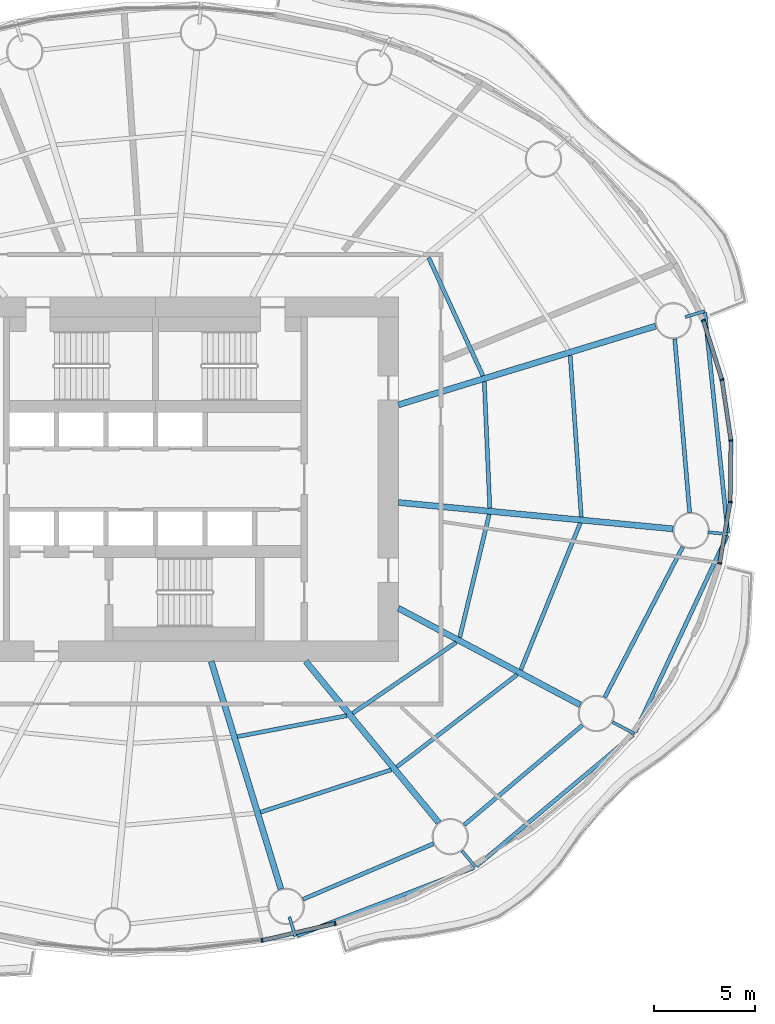
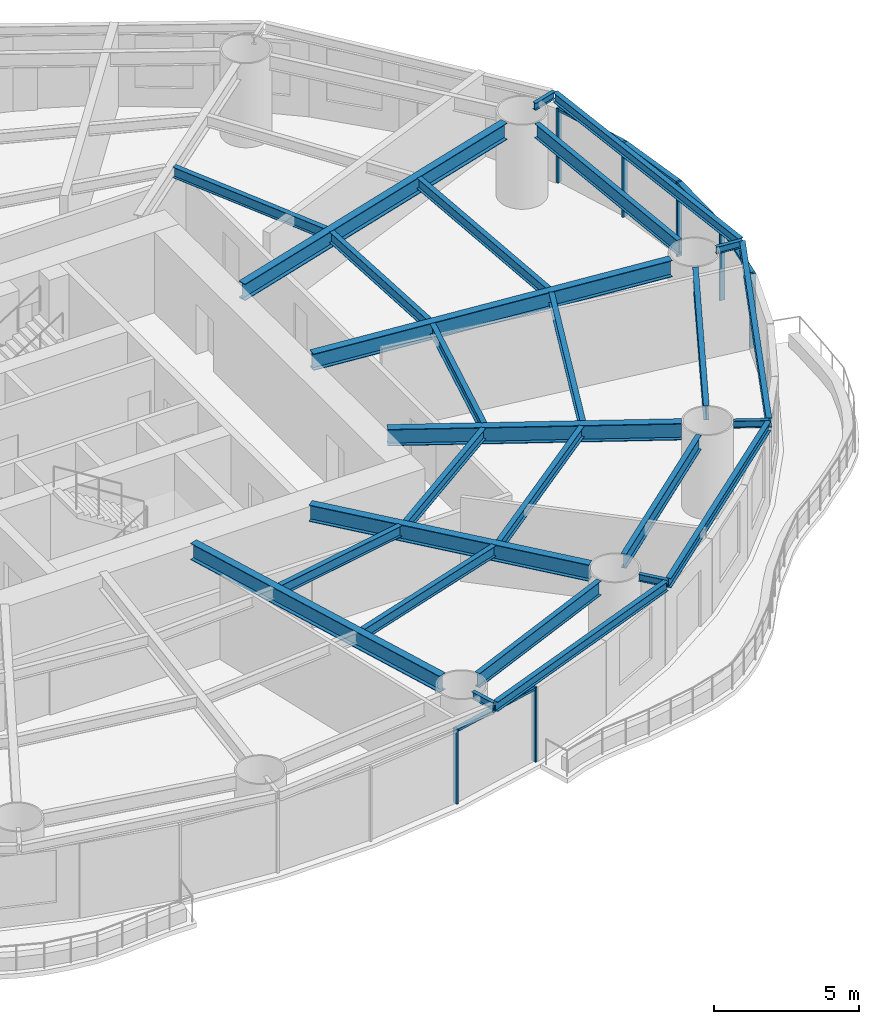
# One storey, part 4 of 16: 27 beams, 12 members, 5 elements without a shape of their own.
"""IFC4 building model written with IfcOpenShell, lengths in metres."""

from ifc_helpers import new_model, si_unit, direction, frame, origin, origin_2d, place, context, subcontext, project, spatial, rectangle, i_section, extrude, material, material_profile, profile_set, type_object, element, aggregate, save


model = new_model("IFC4")

# Units and contexts
model_context = context("Model", 3, precision=1e-05, world=origin(), true_north=direction((0.0, 1.0)))
body_context = subcontext(model_context, "Body", "Model", "MODEL_VIEW")
ifc_project = project(units=[si_unit("LENGTHUNIT", "METRE"), si_unit("AREAUNIT", "SQUARE_METRE"), si_unit("VOLUMEUNIT", "CUBIC_METRE"), si_unit("PLANEANGLEUNIT", "RADIAN"), si_unit("MASSUNIT", "GRAM", prefix="KILO")], contexts=[model_context])

# Site, building, storey
site_placement = place(None, origin())
site = spatial("IfcSite", under=ifc_project, at=site_placement, CompositionType="ELEMENT")
building_placement = place(site_placement, origin())
building = spatial("IfcBuilding", under=site, at=building_placement, Name="Vermilion Reach Broadcast Tower", CompositionType="ELEMENT")
storey_placement = place(building_placement, frame((0.0, 0.0, 50.800048828125)))
storey = spatial("IfcBuildingStorey", under=building, at=storey_placement, Name="L09", CompositionType="ELEMENT", Elevation=50.800048828125)

# Beams
ifc_material_1 = material(Name="Steel S355J2", Category="steel")
ifc_material_profile_1 = material_profile(ifc_material_1, i_section(OverallWidth=0.199951171875, OverallDepth=0.39990234375, WebThickness=0.008056640625, FlangeThickness=0.012939453125, at=origin_2d()), Name="S355J2 HN 400x200x8x13")
ifc_profile_set_1 = profile_set([ifc_material_profile_1], Name="Steel S355J2")
beam_type_1 = type_object("IfcBeamType", Name="EB1 HN 400x200x8x13", PredefinedType="BEAM", material=ifc_profile_set_1)
beam_1_placement = place(storey_placement, frame((0.979248046875, -22.5576171875, 3.349853515625), z_axis=(0.933411362204, 0.35880806695, 0.0), x_axis=(-0.35880806695, 0.933411362204, 0.0)))
element("IfcBeam", 1, at=beam_1_placement, inside=storey, type_object=beam_type_1, Name="Edge beam EB1-13", PredefinedType="BEAM", context=body_context, shape_type="SweptSolid", body=[
    extrude(i_section(OverallWidth=0.199951171875, OverallDepth=0.39990234375, WebThickness=0.008056640625, FlangeThickness=0.012939453125, at=origin_2d()), origin(), (0.0, 0.0, 1.0), 9.37548828125),
])
beam_2_placement = place(storey_placement, frame((9.861572265625, -19.116943359375, 3.349853515625), z_axis=(0.766311705025, 0.642468964809, 0.0), x_axis=(-0.642468964809, 0.766311705025, 0.0)))
element("IfcBeam", 2, at=beam_2_placement, inside=storey, type_object=beam_type_1, Name="Edge beam EB1-14", PredefinedType="BEAM", context=body_context, shape_type="SweptSolid", body=[
    extrude(i_section(OverallWidth=0.199951171875, OverallDepth=0.39990234375, WebThickness=0.008056640625, FlangeThickness=0.012939453125, at=origin_2d()), origin(), (0.0, 0.0, 1.0), 10.099365234375),
])
beam_3_placement = place(storey_placement, frame((17.694580078125, -12.508544921875, 3.349853515625), z_axis=(0.424050882803, 0.90563836535, 0.0), x_axis=(-0.90563836535, 0.424050882803, 0.0)))
element("IfcBeam", 3, at=beam_3_placement, inside=storey, type_object=beam_type_1, Name="Edge beam EB1-15", PredefinedType="BEAM", context=body_context, shape_type="SweptSolid", body=[
    extrude(i_section(OverallWidth=0.199951171875, OverallDepth=0.39990234375, WebThickness=0.008056640625, FlangeThickness=0.012939453125, at=origin_2d()), origin(), (0.0, 0.0, 1.0), 10.731201171875),
])
beam_4_placement = place(storey_placement, frame((22.27099609375, -2.641845703125, 3.349853515625), z_axis=(-0.10387737547, 0.994590111989, 0.0), x_axis=(-0.994590111989, -0.10387737547, 0.0)))
element("IfcBeam", 4, at=beam_4_placement, inside=storey, type_object=beam_type_1, Name="Edge beam EB1-16", PredefinedType="BEAM", context=body_context, shape_type="SweptSolid", body=[
    extrude(i_section(OverallWidth=0.199951171875, OverallDepth=0.39990234375, WebThickness=0.008056640625, FlangeThickness=0.012939453125, at=origin_2d()), origin(), (0.0, 0.0, 1.0), 10.924072265625),
])
ifc_material_2 = material(Name="Steel S355J2", Category="steel")
ifc_material_profile_2 = material_profile(ifc_material_2, i_section(OverallWidth=0.300048828125, OverallDepth=0.699951171875, WebThickness=0.012939453125, FlangeThickness=0.02392578125, at=origin_2d()), Name="S355J2 HN 700x300x13x24")
ifc_profile_set_2 = profile_set([ifc_material_profile_2], Name="Steel S355J2")
beam_type_2 = type_object("IfcBeamType", Name="G1 HN 700x300x13x24", PredefinedType="BEAM", material=ifc_profile_set_2)
beam_5_placement = place(storey_placement, frame((6.0, 3.671142578125, 3.199951171875), z_axis=(0.956255735186, 0.292531996409, 0.0), x_axis=(-0.292531996409, 0.956255735186, 0.0)))
element("IfcBeam", 5, at=beam_5_placement, inside=storey, type_object=beam_type_2, Name="Girder G1-01", PredefinedType="BEAM", context=body_context, shape_type="SweptSolid", body=[
    extrude(i_section(OverallWidth=0.300048828125, OverallDepth=0.699951171875, WebThickness=0.012939453125, FlangeThickness=0.02392578125, at=origin_2d()), origin(), (0.0, 0.0, 1.0), 13.29638671875),
])
beam_6_placement = place(storey_placement, frame((-3.246826171875, -9.0, 3.199951171875), z_axis=(0.292542302886, -0.95625258223, 0.0), x_axis=(0.95625258223, 0.292542302886, 0.0)))
element("IfcBeam", 6, at=beam_6_placement, inside=storey, type_object=beam_type_2, Name="Girder G1-13", PredefinedType="BEAM", context=body_context, shape_type="SweptSolid", body=[
    extrude(i_section(OverallWidth=0.300048828125, OverallDepth=0.699951171875, WebThickness=0.012939453125, FlangeThickness=0.02392578125, at=origin_2d()), origin(), (0.0, 0.0, 1.0), 11.76220703125),
])
beam_7_placement = place(storey_placement, frame((1.421630859375, -9.0, 3.199951171875), z_axis=(0.636215165107, -0.77151167437, 0.0), x_axis=(0.77151167437, 0.636215165107, 0.0)))
element("IfcBeam", 7, at=beam_7_placement, inside=storey, type_object=beam_type_2, Name="Girder G1-14", PredefinedType="BEAM", context=body_context, shape_type="SweptSolid", body=[
    extrude(i_section(OverallWidth=0.300048828125, OverallDepth=0.699951171875, WebThickness=0.012939453125, FlangeThickness=0.02392578125, at=origin_2d()), origin(), (0.0, 0.0, 1.0), 10.3251953125),
])
beam_8_placement = place(storey_placement, frame((6.0, -6.3779296875, 3.199951171875), z_axis=(0.883032139419, -0.469312519279, 0.0), x_axis=(0.469312519279, 0.883032139419, 0.0)))
element("IfcBeam", 8, at=beam_8_placement, inside=storey, type_object=beam_type_2, Name="Girder G1-15", PredefinedType="BEAM", context=body_context, shape_type="SweptSolid", body=[
    extrude(i_section(OverallWidth=0.300048828125, OverallDepth=0.699951171875, WebThickness=0.012939453125, FlangeThickness=0.02392578125, at=origin_2d()), origin(), (0.0, 0.0, 1.0), 10.17529296875),
])
beam_9_placement = place(storey_placement, frame((6.0, -1.1533203125, 3.199951171875), z_axis=(0.995412178872, -0.095679643363, 0.0), x_axis=(0.095679643363, 0.995412178872, 0.0)))
element("IfcBeam", 9, at=beam_9_placement, inside=storey, type_object=beam_type_2, Name="Girder G1-16", PredefinedType="BEAM", context=body_context, shape_type="SweptSolid", body=[
    extrude(i_section(OverallWidth=0.300048828125, OverallDepth=0.699951171875, WebThickness=0.012939453125, FlangeThickness=0.02392578125, at=origin_2d()), origin(), (0.0, 0.0, 1.0), 13.630859375),
])
ifc_material_3 = material(Name="Steel S355J2", Category="steel")
ifc_material_profile_3 = material_profile(ifc_material_3, i_section(OverallWidth=0.14990234375, OverallDepth=0.300048828125, WebThickness=0.006591796875, FlangeThickness=0.009033203125, at=origin_2d()), Name="S355J2 HN 300x150x6.5x9")
ifc_profile_set_3 = profile_set([ifc_material_profile_3], Name="Steel S355J2")
beam_type_3 = type_object("IfcBeamType", Name="GS1 HN 300x150x6.5x9", PredefinedType="BEAM", material=ifc_profile_set_3)
for number, where, z_axis, x_axis, name in (
    (10, (20.172119140625, 8.006591796875, 3.39990234375), (0.95627383467, 0.292472824594, 0.0), (-0.292472824594, 0.95627383467, 0.0), "Cantilever stub GS1-01"),
    (11, (0.616455078125, -21.628173828125, 3.39990234375), (0.292696051594, -0.956205533022, 0.0), (0.956205533022, 0.292696051594, 0.0), "Cantilever stub GS1-13"),
):
    element("IfcBeam", number, at=place(storey_placement, frame(where, z_axis=z_axis, x_axis=x_axis)), inside=storey, type_object=beam_type_3, Name=name, PredefinedType="BEAM", context=body_context, shape_type="SweptSolid", body=[
        extrude(i_section(OverallWidth=0.14990234375, OverallDepth=0.300048828125, WebThickness=0.006591796875, FlangeThickness=0.009033203125, at=origin_2d()), origin(), (0.0, 0.0, 1.0), 1.0),
    ])
beam_10_placement = place(storey_placement, frame((9.1357421875, -18.354736328125, 3.39990234375), z_axis=(0.63624467714, -0.77148733678, 0.0), x_axis=(0.77148733678, 0.63624467714, 0.0)))
element("IfcBeam", 12, at=beam_10_placement, inside=storey, type_object=beam_type_3, Name="Cantilever stub GS1-14", PredefinedType="BEAM", context=body_context, shape_type="SweptSolid", body=[
    extrude(i_section(OverallWidth=0.14990234375, OverallDepth=0.300048828125, WebThickness=0.006591796875, FlangeThickness=0.009033203125, at=origin_2d()), origin(), (0.0, 0.0, 1.0), 1.050537109375),
])
beam_11_placement = place(storey_placement, frame((16.574462890625, -11.998046875, 3.39990234375), z_axis=(0.883059290006, -0.469261430692, 0.0), x_axis=(0.469261430692, 0.883059290006, 0.0)))
element("IfcBeam", 13, at=beam_11_placement, inside=storey, type_object=beam_type_3, Name="Cantilever stub GS1-15", PredefinedType="BEAM", context=body_context, shape_type="SweptSolid", body=[
    extrude(i_section(OverallWidth=0.14990234375, OverallDepth=0.300048828125, WebThickness=0.006591796875, FlangeThickness=0.009033203125, at=origin_2d()), origin(), (0.0, 0.0, 1.0), 1.232421875),
])
beam_12_placement = place(storey_placement, frame((21.283447265625, -2.622314453125, 3.39990234375), z_axis=(0.995409476419, -0.095707754417, 0.0), x_axis=(0.095707754417, 0.995409476419, 0.0)))
element("IfcBeam", 14, at=beam_12_placement, inside=storey, type_object=beam_type_3, Name="Cantilever stub GS1-16", PredefinedType="BEAM", context=body_context, shape_type="SweptSolid", body=[
    extrude(i_section(OverallWidth=0.14990234375, OverallDepth=0.300048828125, WebThickness=0.006591796875, FlangeThickness=0.009033203125, at=origin_2d()), origin(), (0.0, 0.0, 1.0), 1.0),
])
ifc_material_4 = material(Name="Steel S355J2", Category="steel")
ifc_material_profile_4 = material_profile(ifc_material_4, i_section(OverallWidth=0.199951171875, OverallDepth=0.60009765625, WebThickness=0.010986328125, FlangeThickness=0.01708984375, at=origin_2d()), Name="S355J2 HN 600x200x11x17")
ifc_profile_set_4 = profile_set([ifc_material_profile_4], Name="Steel S355J2")
beam_type_4 = type_object("IfcBeamType", Name="RB1 HN 600x200x11x17", PredefinedType="BEAM", material=ifc_profile_set_4)
beam_13_placement = place(storey_placement, frame((1.28564453125, -20.755859375, 3.25), z_axis=(0.920220846584, 0.391399531825, 0.0), x_axis=(-0.391399531825, 0.920220846584, 0.0)))
element("IfcBeam", 15, at=beam_13_placement, inside=storey, type_object=beam_type_4, Name="Ring beam RB1-13", PredefinedType="BEAM", context=body_context, shape_type="SweptSolid", body=[
    extrude(i_section(OverallWidth=0.199951171875, OverallDepth=0.60009765625, WebThickness=0.010986328125, FlangeThickness=0.01708984375, at=origin_2d()), origin(), (0.0, 0.0, 1.0), 7.008544921875),
])
beam_14_placement = place(storey_placement, frame((9.251220703125, -17.080322265625, 3.25), z_axis=(0.764512441084, 0.6446089725, 0.0), x_axis=(-0.6446089725, 0.764512441084, 0.0)))
element("IfcBeam", 16, at=beam_14_placement, inside=storey, type_object=beam_type_4, Name="Ring beam RB1-14", PredefinedType="BEAM", context=body_context, shape_type="SweptSolid", body=[
    extrude(i_section(OverallWidth=0.199951171875, OverallDepth=0.60009765625, WebThickness=0.010986328125, FlangeThickness=0.01708984375, at=origin_2d()), origin(), (0.0, 0.0, 1.0), 7.6396484375),
])
beam_15_placement = place(storey_placement, frame((16.194091796875, -10.776611328125, 3.25), z_axis=(0.460411617218, 0.887705549566, 0.0), x_axis=(-0.887705549566, 0.460411617218, 0.0)))
element("IfcBeam", 17, at=beam_15_placement, inside=storey, type_object=beam_type_4, Name="Ring beam RB1-15", PredefinedType="BEAM", context=body_context, shape_type="SweptSolid", body=[
    extrude(i_section(OverallWidth=0.199951171875, OverallDepth=0.60009765625, WebThickness=0.010986328125, FlangeThickness=0.01708984375, at=origin_2d()), origin(), (0.0, 0.0, 1.0), 8.37451171875),
])
beam_16_placement = place(storey_placement, frame((20.38720703125, -1.646728515625, 3.25), z_axis=(-0.085395508608, 0.996347131832, 0.0), x_axis=(-0.996347131832, -0.085395508608, 0.0)))
element("IfcBeam", 18, at=beam_16_placement, inside=storey, type_object=beam_type_4, Name="Ring beam RB1-16", PredefinedType="BEAM", context=body_context, shape_type="SweptSolid", body=[
    extrude(i_section(OverallWidth=0.199951171875, OverallDepth=0.60009765625, WebThickness=0.010986328125, FlangeThickness=0.01708984375, at=origin_2d()), origin(), (0.0, 0.0, 1.0), 8.60546875),
])
ifc_material_5 = material(Name="Steel S355J2", Category="steel")
ifc_material_profile_5 = material_profile(ifc_material_5, i_section(OverallWidth=0.199951171875, OverallDepth=0.449951171875, WebThickness=0.009033203125, FlangeThickness=0.013916015625, at=origin_2d()), Name="S355J2 HN 450x200x9x14")
ifc_profile_set_5 = profile_set([ifc_material_profile_5], Name="Steel S355J2")
beam_type_5 = type_object("IfcBeamType", Name="SB1 HN 450x200x9x14", PredefinedType="BEAM", material=ifc_profile_set_5)
beam_17_placement = place(storey_placement, frame((10.175048828125, 5.105224609375, 3.324951171875), z_axis=(-0.417211452529, 0.908809443106, 0.0), x_axis=(-0.908809443106, -0.417211452529, 0.0)))
element("IfcBeam", 19, at=beam_17_placement, inside=storey, type_object=beam_type_5, Name="Secondary beam SB1-01-1", PredefinedType="BEAM", context=body_context, shape_type="SweptSolid", body=[
    extrude(i_section(OverallWidth=0.199951171875, OverallDepth=0.449951171875, WebThickness=0.009033203125, FlangeThickness=0.013916015625, at=origin_2d()), origin(), (0.0, 0.0, 1.0), 6.41650390625),
])
beam_18_placement = place(storey_placement, frame((-1.95166015625, -12.720703125, 3.324951171875), z_axis=(0.982151348822, 0.188092339045, 0.0), x_axis=(-0.188092339045, 0.982151348822, 0.0)))
element("IfcBeam", 20, at=beam_18_placement, inside=storey, type_object=beam_type_5, Name="Secondary beam SB1-13-1", PredefinedType="BEAM", context=body_context, shape_type="SweptSolid", body=[
    extrude(i_section(OverallWidth=0.199951171875, OverallDepth=0.449951171875, WebThickness=0.009033203125, FlangeThickness=0.013916015625, at=origin_2d()), origin(), (0.0, 0.0, 1.0), 5.4931640625),
])
beam_19_placement = place(storey_placement, frame((-0.81005859375, -16.4521484375, 3.324951171875), z_axis=(0.951332300844, 0.308166924523, 0.0), x_axis=(-0.308166924523, 0.951332300844, 0.0)))
element("IfcBeam", 21, at=beam_19_placement, inside=storey, type_object=beam_type_5, Name="Secondary beam SB1-13-2", PredefinedType="BEAM", context=body_context, shape_type="SweptSolid", body=[
    extrude(i_section(OverallWidth=0.199951171875, OverallDepth=0.449951171875, WebThickness=0.009033203125, FlangeThickness=0.013916015625, at=origin_2d()), origin(), (0.0, 0.0, 1.0), 6.787841796875),
])
beam_20_placement = place(storey_placement, frame((3.735595703125, -11.5703125, 3.324951171875), z_axis=(0.825140253447, 0.564927926502, 0.0), x_axis=(-0.564927926502, 0.825140253447, 0.0)))
element("IfcBeam", 22, at=beam_20_placement, inside=storey, type_object=beam_type_5, Name="Secondary beam SB1-14-1", PredefinedType="BEAM", context=body_context, shape_type="SweptSolid", body=[
    extrude(i_section(OverallWidth=0.199951171875, OverallDepth=0.449951171875, WebThickness=0.009033203125, FlangeThickness=0.013916015625, at=origin_2d()), origin(), (0.0, 0.0, 1.0), 6.20458984375),
])
beam_21_placement = place(storey_placement, frame((5.920166015625, -14.21923828125, 3.324951171875), z_axis=(0.793349617473, 0.60876628065, 0.0), x_axis=(-0.60876628065, 0.793349617473, 0.0)))
element("IfcBeam", 23, at=beam_21_placement, inside=storey, type_object=beam_type_5, Name="Secondary beam SB1-14-2", PredefinedType="BEAM", context=body_context, shape_type="SweptSolid", body=[
    extrude(i_section(OverallWidth=0.199951171875, OverallDepth=0.449951171875, WebThickness=0.009033203125, FlangeThickness=0.013916015625, at=origin_2d()), origin(), (0.0, 0.0, 1.0), 7.486328125),
])
beam_22_placement = place(storey_placement, frame((9.031005859375, -7.81884765625, 3.324951171875), z_axis=(0.232844467589, 0.972513986487, 0.0), x_axis=(-0.972513986487, 0.232844467589, 0.0)))
element("IfcBeam", 24, at=beam_22_placement, inside=storey, type_object=beam_type_5, Name="Secondary beam SB1-15-1", PredefinedType="BEAM", context=body_context, shape_type="SweptSolid", body=[
    extrude(i_section(OverallWidth=0.199951171875, OverallDepth=0.449951171875, WebThickness=0.009033203125, FlangeThickness=0.013916015625, at=origin_2d()), origin(), (0.0, 0.0, 1.0), 6.25537109375),
])
beam_23_placement = place(storey_placement, frame((12.046630859375, -9.421630859375, 3.324951171875), z_axis=(0.375640669938, 0.926765389453, 0.0), x_axis=(-0.926765389453, 0.375640669938, 0.0)))
element("IfcBeam", 25, at=beam_23_placement, inside=storey, type_object=beam_type_5, Name="Secondary beam SB1-15-2", PredefinedType="BEAM", context=body_context, shape_type="SweptSolid", body=[
    extrude(i_section(OverallWidth=0.199951171875, OverallDepth=0.449951171875, WebThickness=0.009033203125, FlangeThickness=0.013916015625, at=origin_2d()), origin(), (0.0, 0.0, 1.0), 7.8271484375),
])
beam_24_placement = place(storey_placement, frame((10.51611328125, -1.436767578125, 3.324951171875), z_axis=(-0.043361007512, 0.999059469215, 0.0), x_axis=(-0.999059469215, -0.043361007512, 0.0)))
element("IfcBeam", 26, at=beam_24_placement, inside=storey, type_object=beam_type_5, Name="Secondary beam SB1-16-1", PredefinedType="BEAM", context=body_context, shape_type="SweptSolid", body=[
    extrude(i_section(OverallWidth=0.199951171875, OverallDepth=0.449951171875, WebThickness=0.009033203125, FlangeThickness=0.013916015625, at=origin_2d()), origin(), (0.0, 0.0, 1.0), 6.25537109375),
])
beam_25_placement = place(storey_placement, frame((15.03515625, -1.87109375, 3.324951171875), z_axis=(-0.068507801475, 0.997650580683, 0.0), x_axis=(-0.997650580683, -0.068507801475, 0.0)))
element("IfcBeam", 27, at=beam_25_placement, inside=storey, type_object=beam_type_5, Name="Secondary beam SB1-16-2", PredefinedType="BEAM", context=body_context, shape_type="SweptSolid", body=[
    extrude(i_section(OverallWidth=0.199951171875, OverallDepth=0.449951171875, WebThickness=0.009033203125, FlangeThickness=0.013916015625, at=origin_2d()), origin(), (0.0, 0.0, 1.0), 8.00048828125),
])

# Curtain wall, member
ifc_material_6 = material(Name="Low-e laminated clear glass in aluminium frame", Category="aluminium")
curtain_wall_type = type_object("IfcCurtainWallType", Name="Slot curtain wall", PredefinedType="NOTDEFINED", material=ifc_material_6)
placement = place(storey_placement, origin())
curtain_wall_1 = element("IfcCurtainWall", 28, at=placement, inside=storey, type_object=curtain_wall_type, Name="Slot curtain wall L09 46", PredefinedType="NOTDEFINED")
ifc_material_7 = material(Name="Anodised aluminium", Category="aluminium")
ifc_material_profile_6 = material_profile(ifc_material_7, rectangle(XDim=0.199951171875, YDim=0.080078125, at=origin_2d()), Name="Slot mullion 80 x 200")
ifc_profile_set_6 = profile_set([ifc_material_profile_6], Name="Anodised aluminium")
member_type_1 = type_object("IfcMemberType", Name="Slot mullion 80 x 200", PredefinedType="MULLION", material=ifc_profile_set_6)
member_1_placement = place(storey_placement, frame((21.865478515625, -4.156005859375, 0.0), z_axis=(0.0, 0.0, 1.0), x_axis=(-0.969302049058, 0.245873011314, 0.0)))
member_1 = element("IfcMember", 29, at=member_1_placement, type_object=member_type_1, Name="Slot mullion L09 46", PredefinedType="MULLION", context=body_context, shape_type="SweptSolid", body=[
    extrude(rectangle(XDim=0.199951171875, YDim=0.080078125, at=origin_2d()), origin(), (0.0, 0.0, 1.0), 3.14990234375),
])

curtain_wall_2 = element("IfcCurtainWall", 30, at=placement, inside=storey, type_object=curtain_wall_type, Name="Slot curtain wall L09 47", PredefinedType="NOTDEFINED")
member_2_placement = place(storey_placement, frame((22.387939453125, -1.13330078125, 0.0), z_axis=(0.0, 0.0, 1.0), x_axis=(-0.995774723527, 0.091829733667, 0.0)))
member_2 = element("IfcMember", 31, at=member_2_placement, type_object=member_type_1, Name="Slot mullion L09 47", PredefinedType="MULLION", context=body_context, shape_type="SweptSolid", body=[
    extrude(rectangle(XDim=0.199951171875, YDim=0.080078125, at=origin_2d()), origin(), (0.0, 0.0, 1.0), 3.14990234375),
])

curtain_wall_3 = element("IfcCurtainWall", 32, at=placement, inside=storey, type_object=curtain_wall_type, Name="Slot curtain wall L09 00", PredefinedType="NOTDEFINED")
member_3_placement = place(storey_placement, frame((22.4267578125, 1.907958984375, 0.0), z_axis=(0.0, 0.0, 1.0), x_axis=(-0.997754956247, -0.066970495622, 0.0)))
member_3 = element("IfcMember", 33, at=member_3_placement, type_object=member_type_1, Name="Slot mullion L09 00", PredefinedType="MULLION", context=body_context, shape_type="SweptSolid", body=[
    extrude(rectangle(XDim=0.199951171875, YDim=0.080078125, at=origin_2d()), origin(), (0.0, 0.0, 1.0), 3.14990234375),
])

# Curtain wall, members
curtain_wall_4 = element("IfcCurtainWall", 34, at=placement, inside=storey, type_object=curtain_wall_type, Name="Slot curtain wall L09 01", PredefinedType="NOTDEFINED")
member_4_placement = place(storey_placement, frame((21.981689453125, 4.916748046875, 0.0), z_axis=(0.0, 0.0, 1.0), x_axis=(-0.97457039533, -0.224081557801, 0.0)))
member_4 = element("IfcMember", 35, at=member_4_placement, type_object=member_type_1, Name="Slot mullion L09 01", PredefinedType="MULLION", context=body_context, shape_type="SweptSolid", body=[
    extrude(rectangle(XDim=0.199951171875, YDim=0.080078125, at=origin_2d()), origin(), (0.0, 0.0, 1.0), 3.14990234375),
])
member_5_placement = place(storey_placement, frame((21.06005859375, 7.8427734375, 0.0), z_axis=(0.0, 0.0, 1.0), x_axis=(-0.92774879959, -0.373205258348, 0.0)))
member_5 = element("IfcMember", 36, at=member_5_placement, type_object=member_type_1, Name="Slot mullion L09 02", PredefinedType="MULLION", context=body_context, shape_type="SweptSolid", body=[
    extrude(rectangle(XDim=0.199951171875, YDim=0.080078125, at=origin_2d()), origin(), (0.0, 0.0, 1.0), 3.14990234375),
])

curtain_wall_5 = element("IfcCurtainWall", 37, at=placement, inside=storey, type_object=curtain_wall_type, Name="Slot curtain wall L09 37", PredefinedType="NOTDEFINED")
member_6_placement = place(storey_placement, frame((-0.736083984375, -22.791015625, 0.0), z_axis=(0.0, 0.0, 1.0), x_axis=(-0.173750169925, 0.98478976358, 0.0)))
member_6 = element("IfcMember", 38, at=member_6_placement, type_object=member_type_1, Name="Slot mullion L09 37", PredefinedType="MULLION", context=body_context, shape_type="SweptSolid", body=[
    extrude(rectangle(XDim=0.199951171875, YDim=0.080078125, at=origin_2d()), origin(), (0.0, 0.0, 1.0), 3.14990234375),
])
member_7_placement = place(storey_placement, frame((2.877197265625, -21.9501953125, 0.0), z_axis=(0.0, 0.0, 1.0), x_axis=(-0.279678211479, 0.960093796472, 0.0)))
member_7 = element("IfcMember", 39, at=member_7_placement, type_object=member_type_1, Name="Slot mullion L09 38", PredefinedType="MULLION", context=body_context, shape_type="SweptSolid", body=[
    extrude(rectangle(XDim=0.199951171875, YDim=0.080078125, at=origin_2d()), origin(), (0.0, 0.0, 1.0), 3.14990234375),
])

# Member
ifc_material_8 = material(Name="Anodised aluminium", Category="aluminium")
ifc_material_profile_7 = material_profile(ifc_material_8, rectangle(XDim=0.199951171875, YDim=0.10009765625, at=origin_2d()), Name="Slot transom 200 x 100")
ifc_profile_set_7 = profile_set([ifc_material_profile_7], Name="Anodised aluminium")
member_type_2 = type_object("IfcMemberType", Name="Slot transom 200 x 100", PredefinedType="USERDEFINED", material=ifc_profile_set_7)
member_8_placement = place(storey_placement, frame((21.872314453125, -4.11669921875, 3.099853515625), z_axis=(0.170292734934, 0.98539351755, 0.0), x_axis=(-0.98539351755, 0.170292734934, 0.0)))
member_8 = element("IfcMember", 40, at=member_8_placement, type_object=member_type_2, Name="Slot transom L09 46.1", ObjectType="TRANSOM", PredefinedType="USERDEFINED", context=body_context, shape_type="SweptSolid", body=[
    extrude(rectangle(XDim=0.199951171875, YDim=0.10009765625, at=origin_2d()), origin(), (0.0, 0.0, 1.0), 2.98779296875),
])

aggregate(curtain_wall_1, [member_1, member_8])

member_9_placement = place(storey_placement, frame((22.388427734375, -1.09326171875, 3.099853515625), z_axis=(0.01277719267, 0.999918368342, 0.0), x_axis=(-0.999918368342, 0.01277719267, 0.0)))
member_9 = element("IfcMember", 41, at=member_9_placement, type_object=member_type_2, Name="Slot transom L09 47.1", ObjectType="TRANSOM", PredefinedType="USERDEFINED", context=body_context, shape_type="SweptSolid", body=[
    extrude(rectangle(XDim=0.199951171875, YDim=0.10009765625, at=origin_2d()), origin(), (0.0, 0.0, 1.0), 2.961669921875),
])

aggregate(curtain_wall_2, [member_2, member_9])

member_10_placement = place(storey_placement, frame((22.4208984375, 1.947509765625, 3.099853515625), z_axis=(-0.146324585274, 0.989236632836, 0.0), x_axis=(-0.989236632836, -0.146324585274, 0.0)))
member_10 = element("IfcMember", 42, at=member_10_placement, type_object=member_type_2, Name="Slot transom L09 00.1", ObjectType="TRANSOM", PredefinedType="USERDEFINED", context=body_context, shape_type="SweptSolid", body=[
    extrude(rectangle(XDim=0.199951171875, YDim=0.10009765625, at=origin_2d()), origin(), (0.0, 0.0, 1.0), 2.961669921875),
])

aggregate(curtain_wall_3, [member_3, member_10])

member_11_placement = place(storey_placement, frame((21.9697265625, 4.955078125, 3.099853515625), z_axis=(-0.300470362039, 0.953791151949, 0.0), x_axis=(-0.953791151949, -0.300470362039, 0.0)))
member_11 = element("IfcMember", 43, at=member_11_placement, type_object=member_type_2, Name="Slot transom L09 01.1", ObjectType="TRANSOM", PredefinedType="USERDEFINED", context=body_context, shape_type="SweptSolid", body=[
    extrude(rectangle(XDim=0.199951171875, YDim=0.10009765625, at=origin_2d()), origin(), (0.0, 0.0, 1.0), 2.987548828125),
])

aggregate(curtain_wall_4, [member_4, member_5, member_11])

member_12_placement = place(storey_placement, frame((-0.697021484375, -22.781982421875, 3.099853515625), z_axis=(0.973984898834, 0.22661292294, 0.0), x_axis=(-0.22661292294, 0.973984898834, 0.0)))
member_12 = element("IfcMember", 44, at=member_12_placement, type_object=member_type_2, Name="Slot transom L09 37.1", ObjectType="TRANSOM", PredefinedType="USERDEFINED", context=body_context, shape_type="SweptSolid", body=[
    extrude(rectangle(XDim=0.199951171875, YDim=0.10009765625, at=origin_2d()), origin(), (0.0, 0.0, 1.0), 3.629638671875),
])

aggregate(curtain_wall_5, [member_6, member_7, member_12])

save(model, "model.ifc")
